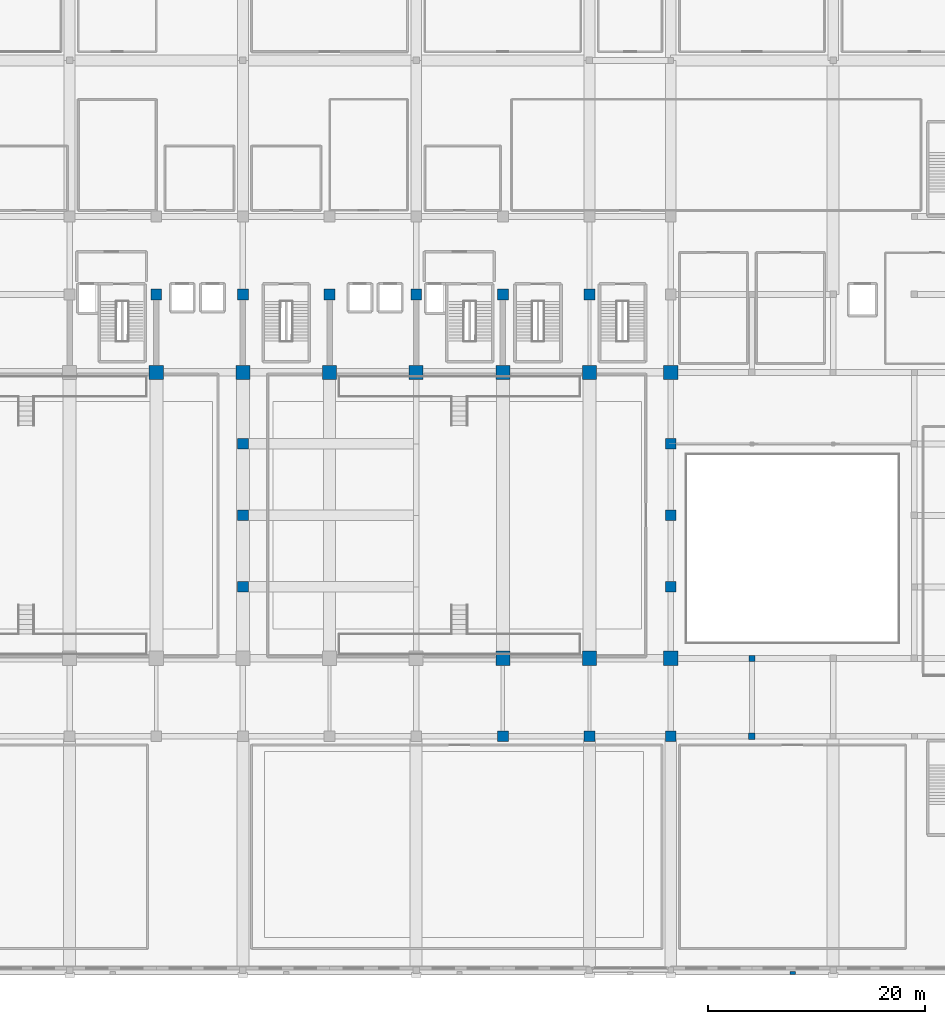
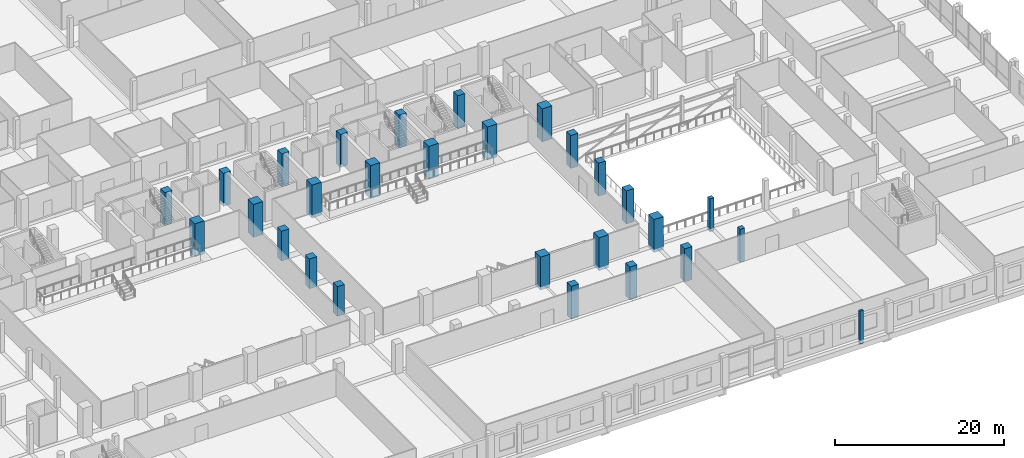
# One storey, part 2 of 68: 28 columns.
"""IFC4 building model written with IfcOpenShell, lengths in metres."""

from ifc_helpers import new_model, si_unit, direction, frame, origin, origin_2d, place, context, subcontext, project, spatial, rectangle, extrude, material, material_profile, profile_set, type_object, element, save


model = new_model("IFC4")

# Units and contexts
model_context = context("Model", 3, precision=1e-05, world=origin(), true_north=direction((0.0, 1.0)))
body_context = subcontext(model_context, "Body", "Model", "MODEL_VIEW")
ifc_project = project(units=[si_unit("LENGTHUNIT", "METRE"), si_unit("AREAUNIT", "SQUARE_METRE"), si_unit("VOLUMEUNIT", "CUBIC_METRE"), si_unit("PLANEANGLEUNIT", "RADIAN"), si_unit("MASSUNIT", "GRAM", prefix="KILO")], contexts=[model_context])

# Site, building, storey
site_placement = place(None, origin())
site = spatial("IfcSite", under=ifc_project, at=site_placement, CompositionType="ELEMENT")
building_placement = place(site_placement, origin())
building = spatial("IfcBuilding", under=site, at=building_placement, Name="Akrevak Sports Hall", CompositionType="ELEMENT")
storey_placement = place(building_placement, frame((0.0, 0.0, 9.39990234375)))
storey = spatial("IfcBuildingStorey", under=building, at=storey_placement, Name="L02", CompositionType="ELEMENT", Elevation=9.39990234375)

# Columns
ifc_material_1 = material(Name="Concrete C50/60", Category="concrete")
ifc_material_profile_1 = material_profile(ifc_material_1, rectangle(XDim=1.0, YDim=1.0, at=origin_2d()), Name="RC 1000x1000", Category="concrete")
ifc_profile_set_1 = profile_set([ifc_material_profile_1], Name="Concrete C50/60")
column_type_1 = type_object("IfcColumnType", Name="STR-COL-RC1000", PredefinedType="COLUMN", material=ifc_profile_set_1)
column_1_placement = place(storey_placement, frame((68.0, 62.39990234375, -0.449951171875), z_axis=(0.0, 0.0, 1.0), x_axis=(1.0, 0.0, 0.0)))
element("IfcColumn", 1, at=column_1_placement, inside=storey, type_object=column_type_1, Name="Column 10/J (L02)", PredefinedType="COLUMN", context=body_context, shape_type="SweptSolid", body=[
    extrude(rectangle(XDim=1.0, YDim=1.0, at=origin_2d()), origin(), (0.0, 0.0, 1.0), 4.77001953125),
])
for number, where, z_axis, x_axis, name in (
    (2, (76.0, 35.39990234375, 0.0), (0.0, 0.0, 1.0), (1.0, 0.0, 0.0), "Column 11/F (L02)"),
    (3, (76.0, 42.0, 0.0), (0.0, 0.0, 1.0), (1.0, 0.0, 0.0), "Column 11/G (L02)"),
    (4, (76.0, 48.60009765625, 0.0), (0.0, 0.0, 1.0), (1.0, 0.0, 0.0), "Column 11/H (L02)"),
):
    element("IfcColumn", number, at=place(storey_placement, frame(where, z_axis=z_axis, x_axis=x_axis)), inside=storey, type_object=column_type_1, Name=name, PredefinedType="COLUMN", context=body_context, shape_type="SweptSolid", body=[
        extrude(rectangle(XDim=1.0, YDim=1.0, at=origin_2d()), origin(), (0.0, 0.0, 1.0), 4.320068359375),
    ])
for number, where, z_axis, x_axis, name in (
    (5, (76.0, 62.39990234375, -0.449951171875), (0.0, 0.0, 1.0), (1.0, 0.0, 0.0), "Column 11/J (L02)"),
    (6, (84.0, 62.39990234375, -0.449951171875), (0.0, 0.0, 1.0), (1.0, 0.0, 0.0), "Column 12/J (L02)"),
    (7, (92.0, 62.39990234375, -0.449951171875), (0.0, 0.0, 1.0), (1.0, 0.0, 0.0), "Column 13/J (L02)"),
    (8, (100.0, 21.60009765625, -0.449951171875), (0.0, 0.0, 1.0), (1.0, 0.0, 0.0), "Column 14/D (L02)"),
    (9, (100.0, 62.39990234375, -0.449951171875), (0.0, 0.0, 1.0), (1.0, 0.0, 0.0), "Column 14/J (L02)"),
    (10, (108.0, 21.60009765625, -0.449951171875), (0.0, 0.0, 1.0), (1.0, 0.0, 0.0), "Column 15/D (L02)"),
    (11, (108.0, 62.39990234375, -0.449951171875), (0.0, 0.0, 1.0), (1.0, 0.0, 0.0), "Column 15/J (L02)"),
    (12, (115.5, 21.60009765625, -0.449951171875), (0.0, 0.0, 1.0), (1.0, 0.0, 0.0), "Column 16/D (L02)"),
    (13, (115.5, 35.39990234375, -0.449951171875), (0.0, 0.0, 1.0), (1.0, 0.0, 0.0), "Column 16/F (L02)"),
    (14, (115.5, 42.0, -0.449951171875), (0.0, 0.0, 1.0), (1.0, 0.0, 0.0), "Column 16/G (L02)"),
    (15, (115.5, 48.60009765625, -0.449951171875), (0.0, 0.0, 1.0), (1.0, 0.0, 0.0), "Column 16/H (L02)"),
):
    element("IfcColumn", number, at=place(storey_placement, frame(where, z_axis=z_axis, x_axis=x_axis)), inside=storey, type_object=column_type_1, Name=name, PredefinedType="COLUMN", context=body_context, shape_type="SweptSolid", body=[
        extrude(rectangle(XDim=1.0, YDim=1.0, at=origin_2d()), origin(), (0.0, 0.0, 1.0), 4.77001953125),
    ])
ifc_material_profile_2 = material_profile(ifc_material_1, rectangle(XDim=1.300048828125, YDim=1.300048828125, at=origin_2d()), Name="RC 1300x1300", Category="concrete")
ifc_profile_set_2 = profile_set([ifc_material_profile_2], Name="Concrete C50/60")
column_type_2 = type_object("IfcColumnType", Name="STR-COL-RC1300", PredefinedType="COLUMN", material=ifc_profile_set_2)
for number, where, z_axis, x_axis, name in (
    (16, (68.0, 55.199951171875, -0.449951171875), (0.0, 0.0, 1.0), (1.0, 0.0, 0.0), "Column 10/I (L02)"),
    (17, (76.0, 55.199951171875, -0.449951171875), (0.0, 0.0, 1.0), (1.0, 0.0, 0.0), "Column 11/I (L02)"),
    (18, (84.0, 55.199951171875, -0.449951171875), (0.0, 0.0, 1.0), (1.0, 0.0, 0.0), "Column 12/I (L02)"),
    (19, (92.0, 55.199951171875, -0.449951171875), (0.0, 0.0, 1.0), (1.0, 0.0, 0.0), "Column 13/I (L02)"),
    (20, (100.0, 28.800048828125, -0.449951171875), (0.0, 0.0, 1.0), (1.0, 0.0, 0.0), "Column 14/E (L02)"),
    (21, (100.0, 55.199951171875, -0.449951171875), (0.0, 0.0, 1.0), (1.0, 0.0, 0.0), "Column 14/I (L02)"),
    (22, (108.0, 28.800048828125, -0.449951171875), (0.0, 0.0, 1.0), (1.0, 0.0, 0.0), "Column 15/E (L02)"),
    (23, (108.0, 55.199951171875, -0.449951171875), (0.0, 0.0, 1.0), (1.0, 0.0, 0.0), "Column 15/I (L02)"),
    (24, (115.5, 28.800048828125, -0.449951171875), (0.0, 0.0, 1.0), (1.0, 0.0, 0.0), "Column 16/E (L02)"),
    (25, (115.5, 55.199951171875, -0.449951171875), (0.0, 0.0, 1.0), (1.0, 0.0, 0.0), "Column 16/I (L02)"),
):
    element("IfcColumn", number, at=place(storey_placement, frame(where, z_axis=z_axis, x_axis=x_axis)), inside=storey, type_object=column_type_2, Name=name, PredefinedType="COLUMN", context=body_context, shape_type="SweptSolid", body=[
        extrude(rectangle(XDim=1.300048828125, YDim=1.300048828125, at=origin_2d()), origin(), (0.0, 0.0, 1.0), 4.77001953125),
    ])
ifc_material_2 = material(Name="Concrete C40/50", Category="concrete")
ifc_material_profile_3 = material_profile(ifc_material_2, rectangle(XDim=0.550048828125, YDim=0.550048828125, at=origin_2d()), Name="RC 550x550", Category="concrete")
ifc_profile_set_3 = profile_set([ifc_material_profile_3], Name="Concrete C40/50")
column_type_3 = type_object("IfcColumnType", Name="STR-COL-RC550", PredefinedType="COLUMN", material=ifc_profile_set_3)
column_2_placement = place(storey_placement, frame((123.0, 28.800048828125, -0.449951171875), z_axis=(0.0, 0.0, 1.0), x_axis=(1.0, 0.0, 0.0)))
element("IfcColumn", 26, at=column_2_placement, inside=storey, type_object=column_type_3, Name="Column 17/E (L02)", PredefinedType="COLUMN", context=body_context, shape_type="SweptSolid", body=[
    extrude(rectangle(XDim=0.550048828125, YDim=0.550048828125, at=origin_2d()), origin(), (0.0, 0.0, 1.0), 4.77001953125),
])
ifc_material_profile_4 = material_profile(ifc_material_2, rectangle(XDim=0.60009765625, YDim=0.60009765625, at=origin_2d()), Name="RC 600x600", Category="concrete")
ifc_profile_set_4 = profile_set([ifc_material_profile_4], Name="Concrete C40/50")
column_type_4 = type_object("IfcColumnType", Name="STR-COL-RC600", PredefinedType="COLUMN", material=ifc_profile_set_4)
column_3_placement = place(storey_placement, frame((123.0, 21.60009765625, -0.449951171875), z_axis=(0.0, 0.0, 1.0), x_axis=(1.0, 0.0, 0.0)))
element("IfcColumn", 27, at=column_3_placement, inside=storey, type_object=column_type_4, Name="Column 17/D (L02)", PredefinedType="COLUMN", context=body_context, shape_type="SweptSolid", body=[
    extrude(rectangle(XDim=0.60009765625, YDim=0.60009765625, at=origin_2d()), origin(), (0.0, 0.0, 1.0), 4.77001953125),
])
ifc_material_profile_5 = material_profile(ifc_material_2, rectangle(XDim=0.5, YDim=0.300048828125, at=origin_2d()), Name="PIL 500x300", Category="concrete")
ifc_profile_set_5 = profile_set([ifc_material_profile_5], Name="Concrete C40/50")
column_type_5 = type_object("IfcColumnType", Name="STR-PIL-500x300", PredefinedType="PILASTER", material=ifc_profile_set_5)
column_4_placement = place(storey_placement, frame((126.75, -0.260009765625, -0.449951171875), z_axis=(0.0, 0.0, 1.0), x_axis=(1.0, 0.0, 0.0)))
element("IfcColumn", 28, at=column_4_placement, inside=storey, type_object=column_type_5, Name="Beaux-Arts Pilaster S08 (L02)", PredefinedType="PILASTER", context=body_context, shape_type="SweptSolid", body=[
    extrude(rectangle(XDim=0.5, YDim=0.300048828125, at=origin_2d()), origin(), (0.0, 0.0, 1.0), 4.77001953125),
])

save(model, "model.ifc")
